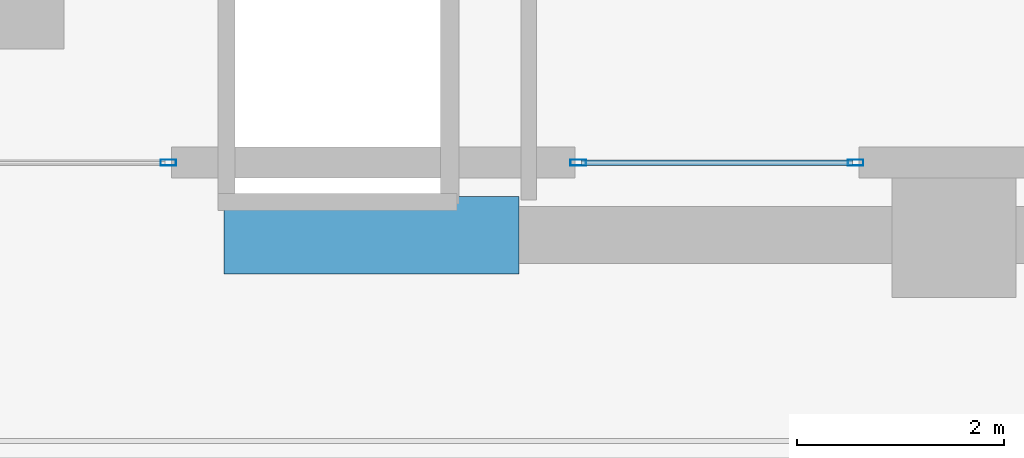
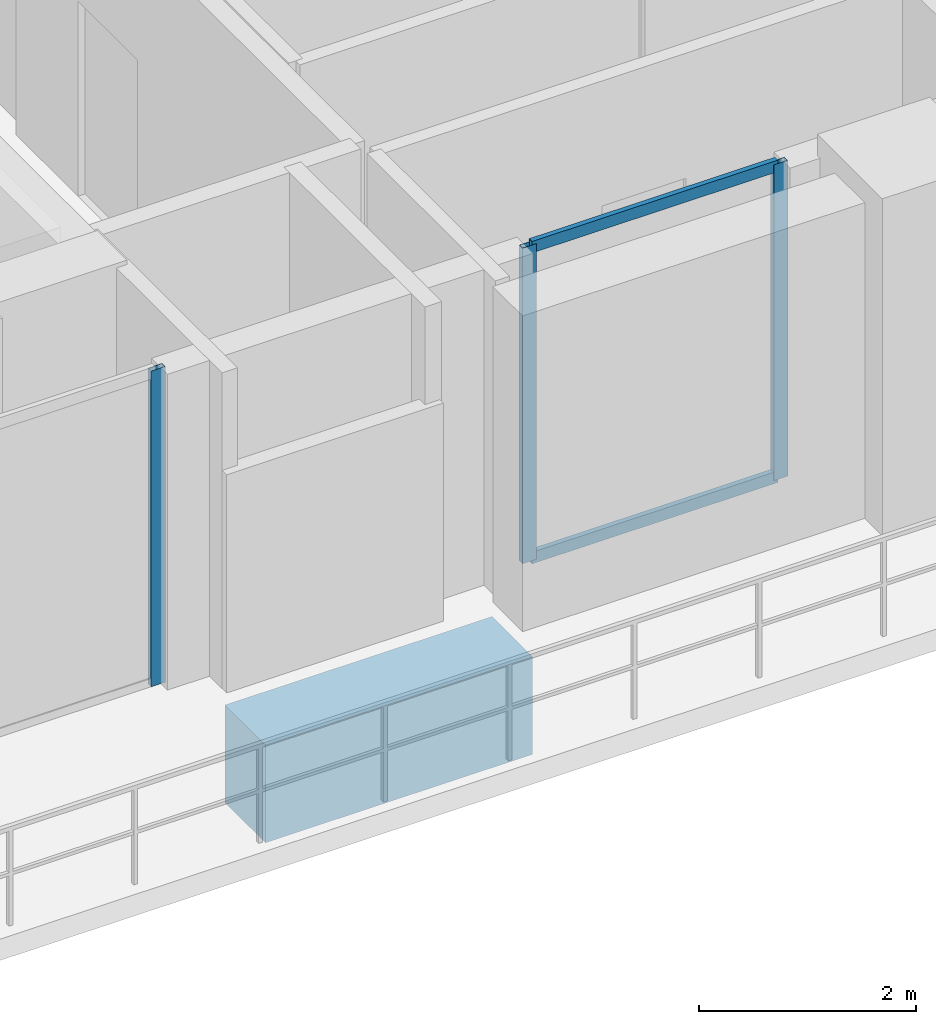
# One storey, part 3 of 27: 5 members, 1 beam, 2 elements without a shape of their own.
"""IFC4 building model written with IfcOpenShell, lengths in metres."""

from ifc_helpers import new_model, si_unit, direction, frame, origin, origin_2d, place, context, subcontext, project, spatial, rectangle, hollow_rectangle, extrude, material, layer, layer_set, material_profile, profile_set, type_object, element, aggregate, save


model = new_model("IFC4")

# Units and contexts
model_context = context("Model", 3, precision=1e-05, world=origin(), true_north=direction((0.0, 1.0)))
body_context = subcontext(model_context, "Body", "Model", "MODEL_VIEW")
ifc_project = project(units=[si_unit("LENGTHUNIT", "METRE"), si_unit("AREAUNIT", "SQUARE_METRE"), si_unit("VOLUMEUNIT", "CUBIC_METRE"), si_unit("PLANEANGLEUNIT", "RADIAN"), si_unit("MASSUNIT", "GRAM", prefix="KILO")], contexts=[model_context])

# Site, building, storey
site_placement = place(None, origin())
site = spatial("IfcSite", under=ifc_project, at=site_placement, CompositionType="ELEMENT")
building_placement = place(site_placement, origin())
building = spatial("IfcBuilding", under=site, at=building_placement, Name="Zuhayl Quay Hotel", CompositionType="ELEMENT")
storey_placement = place(building_placement, frame((0.0, 0.0, 297.25)))
storey = spatial("IfcBuildingStorey", under=building, at=storey_placement, Name="Crown 1", CompositionType="ELEMENT", Elevation=297.25)

# Beam
ifc_material_1 = material(Name="Concrete C60/75", Category="concrete")
ifc_material_profile_1 = material_profile(ifc_material_1, rectangle(XDim=0.75, YDim=1.10009765625, at=origin_2d()), Name="RC750X1100")
ifc_profile_set_1 = profile_set([ifc_material_profile_1], Name="Concrete C60/75")
beam_type = type_object("IfcBeamType", Name="BM_CB2_RC750", PredefinedType="T_BEAM", material=ifc_profile_set_1)
beam_placement = place(storey_placement, frame((-11.64990234375, 2.14990234375, -0.7900390625), z_axis=(1.0, 0.0, 0.0), x_axis=(0.0, 1.0, 0.0)))
element("IfcBeam", 1, at=beam_placement, inside=storey, type_object=beam_type, Name="Crown 1 Core Coupling Beam SW", PredefinedType="T_BEAM", context=body_context, shape_type="SweptSolid", body=[
    extrude(rectangle(XDim=0.75, YDim=1.10009765625, at=origin_2d()), origin(), (0.0, 0.0, 1.0), 2.849853515625),
])

# Curtain wall, members
ifc_material_2 = material(Name="Anodised Aluminium 6063-T6", Category="aluminium")
ifc_layer = layer(ifc_material_2, 0.159912109375, Name="Anodised Aluminium 6063-T6", Category="aluminium")
ifc_layer_set = layer_set([ifc_layer], Name="Anodised Aluminium 6063-T6")
curtain_wall_type = type_object("IfcCurtainWallType", Name="CW_SYS_CRN", PredefinedType="USERDEFINED", material=ifc_layer_set)
curtain_wall_1_placement = place(storey_placement, origin())
curtain_wall_1 = element("IfcCurtainWall", 2, at=curtain_wall_1_placement, inside=storey, type_object=curtain_wall_type, Name="Crown 1 Curtain Wall ENV_CR1_E7_CW3", ObjectType="UNITISED CURTAIN WALL", PredefinedType="USERDEFINED")
ifc_material_3 = material(Name="Black-anodised aluminium 6063-T6", Category="aluminium")
ifc_material_profile_2 = material_profile(ifc_material_3, hollow_rectangle(XDim=0.06005859375, YDim=0.14990234375, WallThickness=0.00341796875, at=origin_2d()), Name="ALU150X60")
ifc_profile_set_2 = profile_set([ifc_material_profile_2], Name="Black-anodised aluminium 6063-T6")
member_type_1 = type_object("IfcMemberType", Name="MB_CW_MUL_150", PredefinedType="MULLION", material=ifc_profile_set_2)
member_1_placement = place(storey_placement, frame((-5.550048828125, 2.85009765625, 0.0), z_axis=(0.0, 0.0, 1.0), x_axis=(0.0, -1.0, 0.0)))
member_1 = element("IfcMember", 3, at=member_1_placement, type_object=member_type_1, Name="CW-CRN mullion 1", PredefinedType="MULLION", context=body_context, shape_type="SweptSolid", body=[
    extrude(hollow_rectangle(XDim=0.06005859375, YDim=0.14990234375, WallThickness=0.00341796875, at=origin_2d()), origin(), (0.0, 0.0, 1.0), 3.56005859375),
])
member_2_placement = place(storey_placement, frame((-8.22998046875, 2.85009765625, 0.0), z_axis=(0.0, 0.0, 1.0), x_axis=(0.0, -1.0, 0.0)))
member_2 = element("IfcMember", 4, at=member_2_placement, type_object=member_type_1, Name="CW-CRN mullion 2", PredefinedType="MULLION", context=body_context, shape_type="SweptSolid", body=[
    extrude(hollow_rectangle(XDim=0.06005859375, YDim=0.14990234375, WallThickness=0.00341796875, at=origin_2d()), origin(), (0.0, 0.0, 1.0), 3.56005859375),
])

# Curtain wall, member
curtain_wall_2_placement = place(storey_placement, origin())
curtain_wall_2 = element("IfcCurtainWall", 5, at=curtain_wall_2_placement, inside=storey, type_object=curtain_wall_type, Name="Crown 1 Curtain Wall ENV_CR1_E7_CW4", ObjectType="UNITISED CURTAIN WALL", PredefinedType="USERDEFINED")
member_3_placement = place(storey_placement, frame((-12.18994140625, 2.85009765625, 0.0), z_axis=(0.0, 0.0, 1.0), x_axis=(0.0, -1.0, 0.0)))
member_3 = element("IfcMember", 6, at=member_3_placement, type_object=member_type_1, Name="CW-CRN mullion 1", PredefinedType="MULLION", context=body_context, shape_type="SweptSolid", body=[
    extrude(hollow_rectangle(XDim=0.06005859375, YDim=0.14990234375, WallThickness=0.00341796875, at=origin_2d()), origin(), (0.0, 0.0, 1.0), 3.56005859375),
])
aggregate(curtain_wall_2, [member_3])

# Member
ifc_material_profile_3 = material_profile(ifc_material_3, hollow_rectangle(XDim=0.054931640625, YDim=0.1298828125, WallThickness=0.0029296875, at=origin_2d()), Name="ALU130X55")
ifc_profile_set_3 = profile_set([ifc_material_profile_3], Name="Black-anodised aluminium 6063-T6")
member_type_2 = type_object("IfcMemberType", Name="MB_CW_TRN_130", PredefinedType="USERDEFINED", material=ifc_profile_set_3)
member_4_placement = place(storey_placement, frame((-5.580078125, 2.85009765625, 0.027587890625), z_axis=(-1.0, 0.0, 0.0), x_axis=(0.0, -1.0, 0.0)))
member_4 = element("IfcMember", 7, at=member_4_placement, type_object=member_type_2, Name="CW-CRN transom 1.1", ObjectType="TRANSOM", PredefinedType="USERDEFINED", context=body_context, shape_type="SweptSolid", body=[
    extrude(hollow_rectangle(XDim=0.054931640625, YDim=0.1298828125, WallThickness=0.0029296875, at=origin_2d()), origin(), (0.0, 0.0, 1.0), 2.619873046875),
])

member_5_placement = place(storey_placement, frame((-5.580078125, 2.85009765625, 3.532470703125), z_axis=(-1.0, 0.0, 0.0), x_axis=(0.0, -1.0, 0.0)))
member_5 = element("IfcMember", 8, at=member_5_placement, type_object=member_type_2, Name="CW-CRN transom 1.2", ObjectType="TRANSOM", PredefinedType="USERDEFINED", context=body_context, shape_type="SweptSolid", body=[
    extrude(hollow_rectangle(XDim=0.054931640625, YDim=0.1298828125, WallThickness=0.0029296875, at=origin_2d()), origin(), (0.0, 0.0, 1.0), 2.619873046875),
])

aggregate(curtain_wall_1, [member_1, member_2, member_4, member_5])

save(model, "model.ifc")
